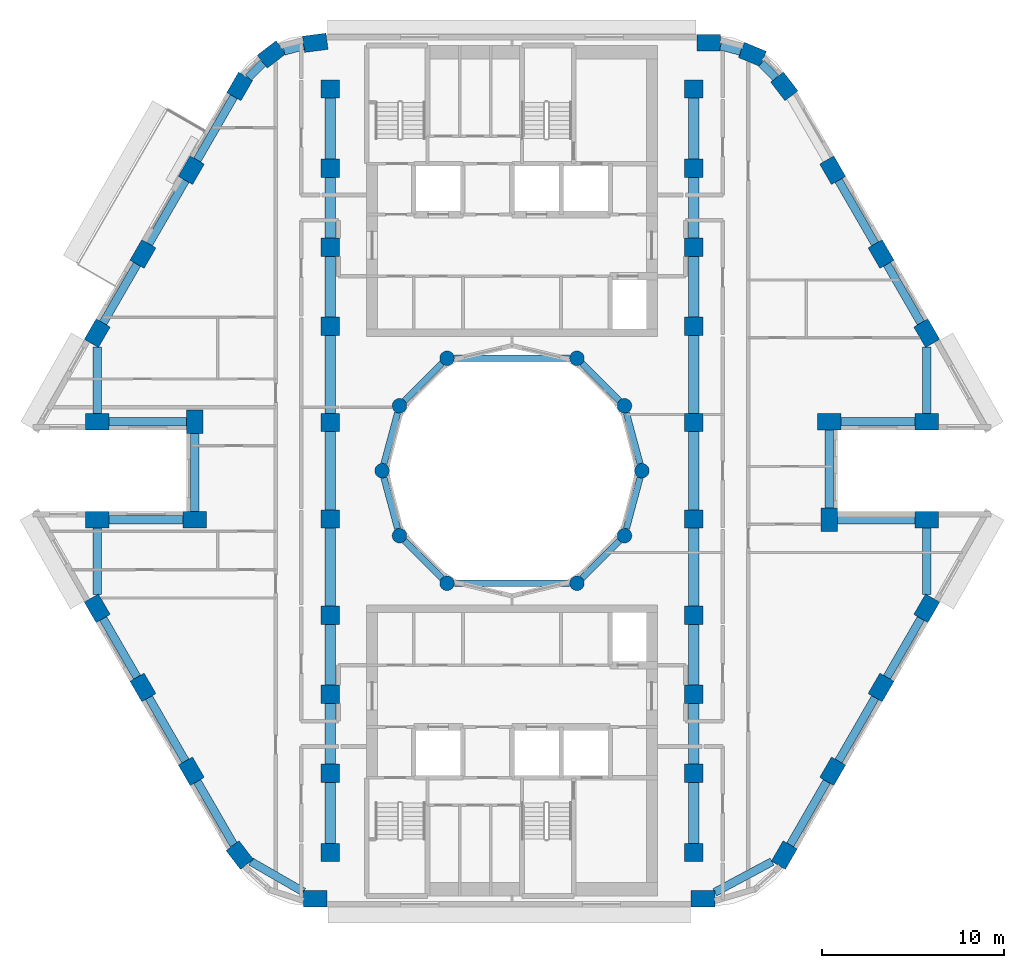
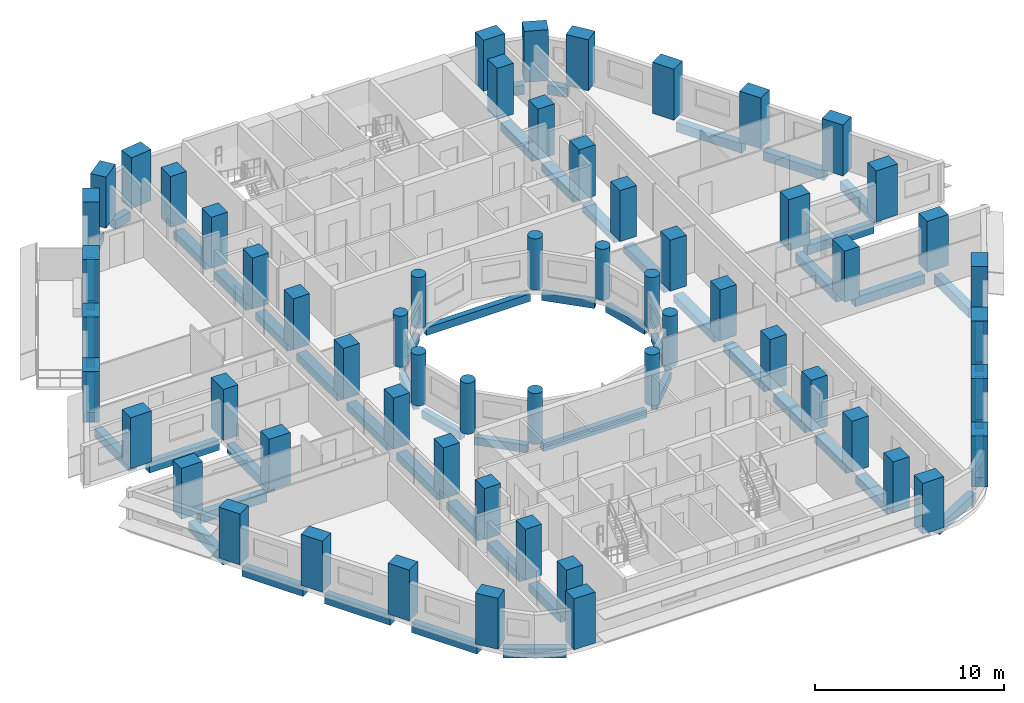
# One storey, part 1 of 13: 60 columns, 55 beams.
"""IFC4 building model written with IfcOpenShell, lengths in metres."""

from ifc_helpers import new_model, si_unit, direction, frame, origin, origin_2d, place, context, subcontext, project, spatial, rectangle, circle, extrude, material, material_profile, profile_set, type_object, element, save


model = new_model("IFC4")

# Units and contexts
model_context = context("Model", 3, precision=1e-05, world=origin(), true_north=direction((0.0, 1.0)))
body_context = subcontext(model_context, "Body", "Model", "MODEL_VIEW")
ifc_project = project(units=[si_unit("LENGTHUNIT", "METRE"), si_unit("AREAUNIT", "SQUARE_METRE"), si_unit("VOLUMEUNIT", "CUBIC_METRE"), si_unit("PLANEANGLEUNIT", "RADIAN"), si_unit("MASSUNIT", "GRAM", prefix="KILO")], contexts=[model_context])

# Site, building, storey
site_placement = place(None, origin())
site = spatial("IfcSite", under=ifc_project, at=site_placement, CompositionType="ELEMENT")
building_placement = place(site_placement, origin())
building = spatial("IfcBuilding", under=site, at=building_placement, Name="Nakaniwa Court", CompositionType="ELEMENT")
storey_placement = place(building_placement, frame((0.0, 0.0, 147.0)))
storey = spatial("IfcBuildingStorey", under=building, at=storey_placement, Name="L38", CompositionType="ELEMENT", Elevation=147.0)

# Columns
ifc_material = material(Name="Concrete C80/100", Category="concrete")
ifc_material_profile_1 = material_profile(ifc_material, rectangle(XDim=1.0, YDim=1.0, at=origin_2d()), Name="Concrete C80/100 RC 1000x1000 spine column")
ifc_profile_set_1 = profile_set([ifc_material_profile_1], Name="Concrete C80/100")
column_type_1 = type_object("IfcColumnType", Name="Concrete C80/100 RC 1000x1000 spine column", PredefinedType="COLUMN", material=ifc_profile_set_1)
for number, where, z_axis, x_axis, name in (
    (1, (90.0, 59.0, 0.0), (0.0, 0.0, 1.0), (0.0, 1.0, 0.0), "COLUMN CS-01"),
    (2, (90.0, 63.35009765625, 0.0), (0.0, 0.0, 1.0), (0.0, 1.0, 0.0), "COLUMN CS-02"),
    (3, (90.0, 67.699951171875, 0.0), (0.0, 0.0, 1.0), (0.0, 1.0, 0.0), "COLUMN CS-03"),
    (4, (90.0, 72.050048828125, 0.0), (0.0, 0.0, 1.0), (0.0, 1.0, 0.0), "COLUMN CS-04"),
    (5, (90.0, 77.35009765625, 0.0), (0.0, 0.0, 1.0), (0.0, 1.0, 0.0), "COLUMN CS-05"),
    (6, (90.0, 82.64990234375, 0.0), (0.0, 0.0, 1.0), (0.0, 1.0, 0.0), "COLUMN CS-06"),
    (7, (90.0, 87.949951171875, 0.0), (0.0, 0.0, 1.0), (0.0, 1.0, 0.0), "COLUMN CS-07"),
    (8, (90.0, 92.300048828125, 0.0), (0.0, 0.0, 1.0), (0.0, 1.0, 0.0), "COLUMN CS-08"),
    (9, (90.0, 96.64990234375, 0.0), (0.0, 0.0, 1.0), (0.0, 1.0, 0.0), "COLUMN CS-09"),
    (10, (90.0, 101.0, 0.0), (0.0, 0.0, 1.0), (0.0, 1.0, 0.0), "COLUMN CS-10"),
    (11, (70.0, 101.0, 0.0), (0.0, 0.0, 1.0), (0.0, -1.0, 0.0), "COLUMN CS-11"),
    (12, (70.0, 96.64990234375, 0.0), (0.0, 0.0, 1.0), (0.0, -1.0, 0.0), "COLUMN CS-12"),
    (13, (70.0, 92.300048828125, 0.0), (0.0, 0.0, 1.0), (0.0, -1.0, 0.0), "COLUMN CS-13"),
    (14, (70.0, 87.949951171875, 0.0), (0.0, 0.0, 1.0), (0.0, -1.0, 0.0), "COLUMN CS-14"),
    (15, (70.0, 82.64990234375, 0.0), (0.0, 0.0, 1.0), (0.0, -1.0, 0.0), "COLUMN CS-15"),
    (16, (70.0, 77.35009765625, 0.0), (0.0, 0.0, 1.0), (0.0, -1.0, 0.0), "COLUMN CS-16"),
    (17, (70.0, 72.050048828125, 0.0), (0.0, 0.0, 1.0), (0.0, -1.0, 0.0), "COLUMN CS-17"),
    (18, (70.0, 67.699951171875, 0.0), (0.0, 0.0, 1.0), (0.0, -1.0, 0.0), "COLUMN CS-18"),
    (19, (70.0, 63.35009765625, 0.0), (0.0, 0.0, 1.0), (0.0, -1.0, 0.0), "COLUMN CS-19"),
    (20, (70.0, 59.0, 0.0), (0.0, 0.0, 1.0), (0.0, -1.0, 0.0), "COLUMN CS-20"),
):
    element("IfcColumn", number, at=place(storey_placement, frame(where, z_axis=z_axis, x_axis=x_axis)), inside=storey, type_object=column_type_1, Name=name, PredefinedType="COLUMN", context=body_context, shape_type="SweptSolid", body=[
        extrude(rectangle(XDim=1.0, YDim=1.0, at=origin_2d()), origin(), (0.0, 0.0, 1.0), 3.300048828125),
    ])
ifc_material_profile_2 = material_profile(ifc_material, rectangle(XDim=1.300048828125, YDim=0.89990234375, at=origin_2d()), Name="Concrete C80/100 RC 1300x900 perimeter column")
ifc_profile_set_2 = profile_set([ifc_material_profile_2], Name="Concrete C80/100")
column_type_2 = type_object("IfcColumnType", Name="Concrete C80/100 RC 1300x900 perimeter column", PredefinedType="COLUMN", material=ifc_profile_set_2)
for number, where, z_axis, x_axis, name in (
    (21, (69.17529296875, 103.550048828125, 0.0), (0.0, 0.0, 1.0), (-0.991442583111, -0.130543496177, 0.0), "COLUMN CO-01"),
    (22, (66.772705078125, 102.91015625, 0.0), (0.0, 0.0, 1.0), (-0.793363965062, -0.608747582288, 0.0), "COLUMN CO-02"),
    (23, (65.017578125, 101.1494140625, 0.0), (0.0, 0.0, 1.0), (-0.5, -0.866025403784, 0.0), "COLUMN CO-03"),
    (24, (62.3544921875, 96.537109375, 0.0), (0.0, 0.0, 1.0), (-0.5, -0.866025403784, 0.0), "COLUMN CO-04"),
    (25, (59.691650390625, 91.9248046875, 0.0), (0.0, 0.0, 1.0), (-0.5, -0.866025403784, 0.0), "COLUMN CO-05"),
    (26, (57.177001953125, 87.569580078125, 0.0), (0.0, 0.0, 1.0), (-0.5, -0.866025403784, 0.0), "COLUMN CO-06"),
    (27, (57.177001953125, 82.699951171875, 0.0), (0.0, 0.0, 1.0), (1.0, 0.0, 0.0), "COLUMN CO-08"),
    (28, (62.54150390625, 82.699951171875, 0.0), (0.0, 0.0, 1.0), (0.0, -1.0, 0.0), "COLUMN CO-09"),
    (29, (62.54150390625, 77.300048828125, 0.0), (0.0, 0.0, 1.0), (-1.0, 0.0, 0.0), "COLUMN CO-10"),
    (30, (57.177001953125, 77.300048828125, 0.0), (0.0, 0.0, 1.0), (-1.0, 0.0, 0.0), "COLUMN CO-11"),
    (31, (57.177001953125, 72.430419921875, 0.0), (0.0, 0.0, 1.0), (0.5, -0.866025403784, 0.0), "COLUMN CO-13"),
    (32, (59.691650390625, 68.0751953125, 0.0), (0.0, 0.0, 1.0), (0.5, -0.866025403784, 0.0), "COLUMN CO-14"),
    (33, (62.3544921875, 63.462890625, 0.0), (0.0, 0.0, 1.0), (0.5, -0.866025403784, 0.0), "COLUMN CO-15"),
    (34, (65.017578125, 58.8505859375, 0.0), (0.0, 0.0, 1.0), (0.608761429009, -0.793353340291, 0.0), "COLUMN CO-16"),
    (35, (69.17529296875, 56.449951171875, 0.0), (0.0, 0.0, 1.0), (1.0, 0.0, 0.0), "COLUMN CO-17"),
    (36, (90.507080078125, 56.449951171875, 0.0), (0.0, 0.0, 1.0), (1.0, 0.0, 0.0), "COLUMN CO-21"),
    (37, (94.982421875, 58.8505859375, 0.0), (0.0, 0.0, 1.0), (0.5, 0.866025403784, 0.0), "COLUMN CO-22"),
    (38, (97.6455078125, 63.462890625, 0.0), (0.0, 0.0, 1.0), (0.5, 0.866025403784, 0.0), "COLUMN CO-23"),
    (39, (100.308349609375, 68.0751953125, 0.0), (0.0, 0.0, 1.0), (0.5, 0.866025403784, 0.0), "COLUMN CO-24"),
    (40, (102.822998046875, 72.430419921875, 0.0), (0.0, 0.0, 1.0), (0.5, 0.866025403784, 0.0), "COLUMN CO-25"),
    (41, (102.822998046875, 77.300048828125, 0.0), (0.0, 0.0, 1.0), (-1.0, 0.0, 0.0), "COLUMN CO-27"),
    (42, (97.45849609375, 77.300048828125, 0.0), (0.0, 0.0, 1.0), (0.0, 1.0, 0.0), "COLUMN CO-28"),
    (43, (97.45849609375, 82.699951171875, 0.0), (0.0, 0.0, 1.0), (1.0, 0.0, 0.0), "COLUMN CO-29"),
    (44, (102.822998046875, 82.699951171875, 0.0), (0.0, 0.0, 1.0), (1.0, 0.0, 0.0), "COLUMN CO-30"),
    (45, (102.822998046875, 87.569580078125, 0.0), (0.0, 0.0, 1.0), (-0.5, 0.866025403784, 0.0), "COLUMN CO-32"),
    (46, (100.308349609375, 91.9248046875, 0.0), (0.0, 0.0, 1.0), (-0.5, 0.866025403784, 0.0), "COLUMN CO-33"),
    (47, (97.6455078125, 96.537109375, 0.0), (0.0, 0.0, 1.0), (-0.5, 0.866025403784, 0.0), "COLUMN CO-34"),
    (48, (94.982421875, 101.1494140625, 0.0), (0.0, 0.0, 1.0), (-0.608761429009, 0.793353340291, 0.0), "COLUMN CO-35"),
    (49, (93.227294921875, 102.91015625, 0.0), (0.0, 0.0, 1.0), (-0.923879532511, 0.382683432365, 0.0), "COLUMN CO-36"),
    (50, (90.82470703125, 103.550048828125, 0.0), (0.0, 0.0, 1.0), (-1.0, 0.0, 0.0), "COLUMN CO-37"),
):
    element("IfcColumn", number, at=place(storey_placement, frame(where, z_axis=z_axis, x_axis=x_axis)), inside=storey, type_object=column_type_2, Name=name, PredefinedType="COLUMN", context=body_context, shape_type="SweptSolid", body=[
        extrude(rectangle(XDim=1.300048828125, YDim=0.89990234375, at=origin_2d()), origin(), (0.0, 0.0, 1.0), 3.300048828125),
    ])
ifc_material_profile_3 = material_profile(ifc_material, circle(Radius=0.39990234375, at=origin_2d()), Name="Concrete C80/100 RC D800 inner ring column")
ifc_profile_set_3 = profile_set([ifc_material_profile_3], Name="Concrete C80/100")
column_type_3 = type_object("IfcColumnType", Name="Concrete C80/100 RC D800 inner ring column", PredefinedType="COLUMN", material=ifc_profile_set_3)
for number, where, z_axis, x_axis, name in (
    (51, (87.14990234375, 80.0, 0.0), (0.0, 0.0, 1.0), (0.0, 1.0, 0.0), "COLUMN CI-01"),
    (52, (86.192138671875, 83.574951171875, 0.0), (0.0, 0.0, 1.0), (-0.5, 0.866025403784, 0.0), "COLUMN CI-02"),
    (53, (83.574951171875, 86.192138671875, 0.0), (0.0, 0.0, 1.0), (-0.866025403784, 0.5, 0.0), "COLUMN CI-03"),
    (54, (76.425048828125, 86.192138671875, 0.0), (0.0, 0.0, 1.0), (-0.866025403784, -0.5, 0.0), "COLUMN CI-05"),
    (55, (73.807861328125, 83.574951171875, 0.0), (0.0, 0.0, 1.0), (-0.5, -0.866025403784, 0.0), "COLUMN CI-06"),
    (56, (72.85009765625, 80.0, 0.0), (0.0, 0.0, 1.0), (0.0, -1.0, 0.0), "COLUMN CI-07"),
    (57, (73.807861328125, 76.425048828125, 0.0), (0.0, 0.0, 1.0), (0.5, -0.866025403784, 0.0), "COLUMN CI-08"),
    (58, (76.425048828125, 73.807861328125, 0.0), (0.0, 0.0, 1.0), (0.866025403784, -0.5, 0.0), "COLUMN CI-09"),
    (59, (83.574951171875, 73.807861328125, 0.0), (0.0, 0.0, 1.0), (0.866025403784, 0.5, 0.0), "COLUMN CI-11"),
    (60, (86.192138671875, 76.425048828125, 0.0), (0.0, 0.0, 1.0), (0.5, 0.866025403784, 0.0), "COLUMN CI-12"),
):
    element("IfcColumn", number, at=place(storey_placement, frame(where, z_axis=z_axis, x_axis=x_axis)), inside=storey, type_object=column_type_3, Name=name, PredefinedType="COLUMN", context=body_context, shape_type="SweptSolid", body=[
        extrude(circle(Radius=0.39990234375, at=origin_2d()), origin(), (0.0, 0.0, 1.0), 3.300048828125),
    ])

# Beams
ifc_material_profile_4 = material_profile(ifc_material, rectangle(XDim=0.35009765625, YDim=0.5, at=origin_2d()), Name="Concrete C80/100 RC 350x500 ring beam")
ifc_profile_set_4 = profile_set([ifc_material_profile_4], Name="Concrete C80/100")
beam_type_1 = type_object("IfcBeamType", Name="Concrete C80/100 RC 350x500 ring beam", PredefinedType="BEAM", material=ifc_profile_set_4)
beam_1_placement = place(storey_placement, frame((87.04638671875, 80.386474609375, -0.52490234375), z_axis=(-0.258778150207, 0.965936783115, 0.0), x_axis=(-0.965936783115, -0.258778150207, 0.0)))
element("IfcBeam", 61, at=beam_1_placement, inside=storey, type_object=beam_type_1, Name="RING BEAM", PredefinedType="BEAM", context=body_context, shape_type="SweptSolid", body=[
    extrude(rectangle(XDim=0.35009765625, YDim=0.5, at=origin_2d()), origin(), (0.0, 0.0, 1.0), 2.901123046875),
])
beam_2_placement = place(storey_placement, frame((85.9091796875, 83.85791015625, -0.52490234375), z_axis=(-0.707106781187, 0.707106781187, 0.0), x_axis=(-0.707106781187, -0.707106781187, 0.0)))
element("IfcBeam", 62, at=beam_2_placement, inside=storey, type_object=beam_type_1, Name="RING BEAM", PredefinedType="BEAM", context=body_context, shape_type="SweptSolid", body=[
    extrude(rectangle(XDim=0.35009765625, YDim=0.5, at=origin_2d()), origin(), (0.0, 0.0, 1.0), 2.90087890625),
])
beam_3_placement = place(storey_placement, frame((83.175048828125, 86.192138671875, -0.52490234375), z_axis=(-1.0, 0.0, 0.0), x_axis=(0.0, -1.0, 0.0)))
element("IfcBeam", 63, at=beam_3_placement, inside=storey, type_object=beam_type_1, Name="RING BEAM", PredefinedType="BEAM", context=body_context, shape_type="SweptSolid", body=[
    extrude(rectangle(XDim=0.35009765625, YDim=0.5, at=origin_2d()), origin(), (0.0, 0.0, 1.0), 6.35009765625),
])
beam_4_placement = place(storey_placement, frame((76.14208984375, 85.9091796875, -0.52490234375), z_axis=(-0.707106781187, -0.707106781187, 0.0), x_axis=(0.707106781187, -0.707106781187, 0.0)))
element("IfcBeam", 64, at=beam_4_placement, inside=storey, type_object=beam_type_1, Name="RING BEAM", PredefinedType="BEAM", context=body_context, shape_type="SweptSolid", body=[
    extrude(rectangle(XDim=0.35009765625, YDim=0.5, at=origin_2d()), origin(), (0.0, 0.0, 1.0), 2.90087890625),
])
for number, where, z_axis, x_axis, name in (
    (65, (73.704345703125, 83.188720703125, -0.52490234375), (-0.258778150207, -0.965936783115, 0.0), (0.965936783115, -0.258778150207, 0.0), "RING BEAM"),
    (66, (72.95361328125, 79.613525390625, -0.52490234375), (0.258778150207, -0.965936783115, 0.0), (0.965936783115, 0.258778150207, 0.0), "RING BEAM"),
):
    element("IfcBeam", number, at=place(storey_placement, frame(where, z_axis=z_axis, x_axis=x_axis)), inside=storey, type_object=beam_type_1, Name=name, PredefinedType="BEAM", context=body_context, shape_type="SweptSolid", body=[
        extrude(rectangle(XDim=0.35009765625, YDim=0.5, at=origin_2d()), origin(), (0.0, 0.0, 1.0), 2.901123046875),
    ])
beam_5_placement = place(storey_placement, frame((74.0908203125, 76.14208984375, -0.52490234375), z_axis=(0.707106781187, -0.707106781187, 0.0), x_axis=(0.707106781187, 0.707106781187, 0.0)))
element("IfcBeam", 67, at=beam_5_placement, inside=storey, type_object=beam_type_1, Name="RING BEAM", PredefinedType="BEAM", context=body_context, shape_type="SweptSolid", body=[
    extrude(rectangle(XDim=0.35009765625, YDim=0.5, at=origin_2d()), origin(), (0.0, 0.0, 1.0), 2.90087890625),
])
beam_6_placement = place(storey_placement, frame((76.824951171875, 73.807861328125, -0.52490234375), z_axis=(1.0, 0.0, 0.0), x_axis=(0.0, 1.0, 0.0)))
element("IfcBeam", 68, at=beam_6_placement, inside=storey, type_object=beam_type_1, Name="RING BEAM", PredefinedType="BEAM", context=body_context, shape_type="SweptSolid", body=[
    extrude(rectangle(XDim=0.35009765625, YDim=0.5, at=origin_2d()), origin(), (0.0, 0.0, 1.0), 6.35009765625),
])
beam_7_placement = place(storey_placement, frame((83.85791015625, 74.0908203125, -0.52490234375), z_axis=(0.707106781187, 0.707106781187, 0.0), x_axis=(-0.707106781187, 0.707106781187, 0.0)))
element("IfcBeam", 69, at=beam_7_placement, inside=storey, type_object=beam_type_1, Name="RING BEAM", PredefinedType="BEAM", context=body_context, shape_type="SweptSolid", body=[
    extrude(rectangle(XDim=0.35009765625, YDim=0.5, at=origin_2d()), origin(), (0.0, 0.0, 1.0), 2.90087890625),
])
beam_8_placement = place(storey_placement, frame((86.295654296875, 76.811279296875, -0.52490234375), z_axis=(0.258778150207, 0.965936783115, 0.0), x_axis=(-0.965936783115, 0.258778150207, 0.0)))
element("IfcBeam", 70, at=beam_8_placement, inside=storey, type_object=beam_type_1, Name="RING BEAM", PredefinedType="BEAM", context=body_context, shape_type="SweptSolid", body=[
    extrude(rectangle(XDim=0.35009765625, YDim=0.5, at=origin_2d()), origin(), (0.0, 0.0, 1.0), 2.901123046875),
])
ifc_material_profile_5 = material_profile(ifc_material, rectangle(XDim=0.449951171875, YDim=0.60009765625, at=origin_2d()), Name="Concrete C80/100 RC 450x600 spandrel beam")
ifc_profile_set_5 = profile_set([ifc_material_profile_5], Name="Concrete C80/100")
beam_type_2 = type_object("IfcBeamType", Name="Concrete C80/100 RC 450x600 spandrel beam", PredefinedType="BEAM", material=ifc_profile_set_5)
beam_9_placement = place(storey_placement, frame((68.5419921875, 103.38134765625, -0.574951171875), z_axis=(-0.966321172043, -0.257339061284, 0.0), x_axis=(0.257339061284, -0.966321172043, 0.0)))
element("IfcBeam", 71, at=beam_9_placement, inside=storey, type_object=beam_type_2, Name="SPANDREL BEAM", PredefinedType="BEAM", context=body_context, shape_type="SweptSolid", body=[
    extrude(rectangle(XDim=0.449951171875, YDim=0.60009765625, at=origin_2d()), origin(), (0.0, 0.0, 1.0), 1.126953125),
])
beam_10_placement = place(storey_placement, frame((66.309814453125, 102.44580078125, -0.574951171875), z_axis=(-0.706051557188, -0.708160432807, 0.0), x_axis=(0.708160432807, -0.706051557188, 0.0)))
element("IfcBeam", 72, at=beam_10_placement, inside=storey, type_object=beam_type_2, Name="SPANDREL BEAM", PredefinedType="BEAM", context=body_context, shape_type="SweptSolid", body=[
    extrude(rectangle(XDim=0.449951171875, YDim=0.60009765625, at=origin_2d()), origin(), (0.0, 0.0, 1.0), 1.15771484375),
])
for number, where, z_axis, x_axis, name in (
    (73, (64.6923828125, 100.586669921875, -0.574951171875), (-0.499993669216, -0.866029058833, 0.0), (0.866029058833, -0.499993669216, 0.0), "SPANDREL BEAM"),
    (74, (62.029541015625, 95.97412109375, -0.574951171875), (-0.499993669216, -0.866029058833, 0.0), (0.866029058833, -0.499993669216, 0.0), "SPANDREL BEAM"),
):
    element("IfcBeam", number, at=place(storey_placement, frame(where, z_axis=z_axis, x_axis=x_axis)), inside=storey, type_object=beam_type_2, Name=name, PredefinedType="BEAM", context=body_context, shape_type="SweptSolid", body=[
        extrude(rectangle(XDim=0.449951171875, YDim=0.60009765625, at=origin_2d()), origin(), (0.0, 0.0, 1.0), 4.02587890625),
    ])
beam_11_placement = place(storey_placement, frame((59.36669921875, 91.36181640625, -0.574951171875), z_axis=(-0.50001905207, -0.866014403787, 0.0), x_axis=(0.866014403787, -0.50001905207, 0.0)))
element("IfcBeam", 75, at=beam_11_placement, inside=storey, type_object=beam_type_2, Name="SPANDREL BEAM", PredefinedType="BEAM", context=body_context, shape_type="SweptSolid", body=[
    extrude(rectangle(XDim=0.449951171875, YDim=0.60009765625, at=origin_2d()), origin(), (0.0, 0.0, 1.0), 3.728759765625),
])
beam_12_placement = place(storey_placement, frame((57.177001953125, 86.819091796875, -0.574951171875), z_axis=(0.0, -1.0, 0.0), x_axis=(1.0, 0.0, 0.0)))
element("IfcBeam", 76, at=beam_12_placement, inside=storey, type_object=beam_type_2, Name="SPANDREL BEAM", PredefinedType="BEAM", context=body_context, shape_type="SweptSolid", body=[
    extrude(rectangle(XDim=0.449951171875, YDim=0.60009765625, at=origin_2d()), origin(), (0.0, 0.0, 1.0), 3.669189453125),
])
beam_13_placement = place(storey_placement, frame((57.8271484375, 82.699951171875, -0.574951171875), z_axis=(1.0, 0.0, 0.0), x_axis=(0.0, 1.0, 0.0)))
element("IfcBeam", 77, at=beam_13_placement, inside=storey, type_object=beam_type_2, Name="SPANDREL BEAM", PredefinedType="BEAM", context=body_context, shape_type="SweptSolid", body=[
    extrude(rectangle(XDim=0.449951171875, YDim=0.60009765625, at=origin_2d()), origin(), (0.0, 0.0, 1.0), 4.264404296875),
])
beam_14_placement = place(storey_placement, frame((62.54150390625, 82.050048828125, -0.574951171875), z_axis=(0.0, -1.0, 0.0), x_axis=(1.0, 0.0, 0.0)))
element("IfcBeam", 78, at=beam_14_placement, inside=storey, type_object=beam_type_2, Name="SPANDREL BEAM", PredefinedType="BEAM", context=body_context, shape_type="SweptSolid", body=[
    extrude(rectangle(XDim=0.449951171875, YDim=0.60009765625, at=origin_2d()), origin(), (0.0, 0.0, 1.0), 4.300048828125),
])
beam_15_placement = place(storey_placement, frame((61.8916015625, 77.300048828125, -0.574951171875), z_axis=(-1.0, 0.0, 0.0), x_axis=(0.0, -1.0, 0.0)))
element("IfcBeam", 79, at=beam_15_placement, inside=storey, type_object=beam_type_2, Name="SPANDREL BEAM", PredefinedType="BEAM", context=body_context, shape_type="SweptSolid", body=[
    extrude(rectangle(XDim=0.449951171875, YDim=0.60009765625, at=origin_2d()), origin(), (0.0, 0.0, 1.0), 4.064453125),
])
beam_16_placement = place(storey_placement, frame((57.177001953125, 76.85009765625, -0.574951171875), z_axis=(0.0, -1.0, 0.0), x_axis=(1.0, 0.0, 0.0)))
element("IfcBeam", 80, at=beam_16_placement, inside=storey, type_object=beam_type_2, Name="SPANDREL BEAM", PredefinedType="BEAM", context=body_context, shape_type="SweptSolid", body=[
    extrude(rectangle(XDim=0.449951171875, YDim=0.60009765625, at=origin_2d()), origin(), (0.0, 0.0, 1.0), 3.669189453125),
])
beam_17_placement = place(storey_placement, frame((57.502197265625, 71.867431640625, -0.574951171875), z_axis=(0.50001905207, -0.866014403787, 0.0), x_axis=(0.866014403787, 0.50001905207, 0.0)))
element("IfcBeam", 81, at=beam_17_placement, inside=storey, type_object=beam_type_2, Name="SPANDREL BEAM", PredefinedType="BEAM", context=body_context, shape_type="SweptSolid", body=[
    extrude(rectangle(XDim=0.449951171875, YDim=0.60009765625, at=origin_2d()), origin(), (0.0, 0.0, 1.0), 3.728759765625),
])
beam_18_placement = place(storey_placement, frame((60.0166015625, 67.512451171875, -0.574951171875), z_axis=(0.499993669216, -0.866029058833, 0.0), x_axis=(0.866029058833, 0.499993669216, 0.0)))
element("IfcBeam", 82, at=beam_18_placement, inside=storey, type_object=beam_type_2, Name="SPANDREL BEAM", PredefinedType="BEAM", context=body_context, shape_type="SweptSolid", body=[
    extrude(rectangle(XDim=0.449951171875, YDim=0.60009765625, at=origin_2d()), origin(), (0.0, 0.0, 1.0), 4.02587890625),
])
beam_19_placement = place(storey_placement, frame((62.679443359375, 62.89990234375, -0.574951171875), z_axis=(0.500018573463, -0.866014680125, 0.0), x_axis=(0.866014680125, 0.500018573463, 0.0)))
element("IfcBeam", 83, at=beam_19_placement, inside=storey, type_object=beam_type_2, Name="SPANDREL BEAM", PredefinedType="BEAM", context=body_context, shape_type="SweptSolid", body=[
    extrude(rectangle(XDim=0.449951171875, YDim=0.60009765625, at=origin_2d()), origin(), (0.0, 0.0, 1.0), 4.020263671875),
])
beam_20_placement = place(storey_placement, frame((65.626708984375, 58.498779296875, -0.574951171875), z_axis=(0.866021605644, -0.500006578514, 0.0), x_axis=(0.500006578514, 0.866021605644, 0.0)))
element("IfcBeam", 84, at=beam_20_placement, inside=storey, type_object=beam_type_2, Name="SPANDREL BEAM", PredefinedType="BEAM", context=body_context, shape_type="SweptSolid", body=[
    extrude(rectangle(XDim=0.449951171875, YDim=0.60009765625, at=origin_2d()), origin(), (0.0, 0.0, 1.0), 3.34716796875),
])
beam_21_placement = place(storey_placement, frame((91.156982421875, 56.798583984375, -0.574951171875), z_axis=(0.881239336512, 0.472670320397, 0.0), x_axis=(-0.472670320397, 0.881239336512, 0.0)))
element("IfcBeam", 85, at=beam_21_placement, inside=storey, type_object=beam_type_2, Name="SPANDREL BEAM", PredefinedType="BEAM", context=body_context, shape_type="SweptSolid", body=[
    extrude(rectangle(XDim=0.449951171875, YDim=0.60009765625, at=origin_2d()), origin(), (0.0, 0.0, 1.0), 3.576416015625),
])
for number, where, z_axis, x_axis, name in (
    (86, (95.3076171875, 59.413330078125, -0.574951171875), (0.499993669216, 0.866029058833, 0.0), (-0.866029058833, 0.499993669216, 0.0), "SPANDREL BEAM"),
    (87, (97.970458984375, 64.02587890625, -0.574951171875), (0.499993669216, 0.866029058833, 0.0), (-0.866029058833, 0.499993669216, 0.0), "SPANDREL BEAM"),
):
    element("IfcBeam", number, at=place(storey_placement, frame(where, z_axis=z_axis, x_axis=x_axis)), inside=storey, type_object=beam_type_2, Name=name, PredefinedType="BEAM", context=body_context, shape_type="SweptSolid", body=[
        extrude(rectangle(XDim=0.449951171875, YDim=0.60009765625, at=origin_2d()), origin(), (0.0, 0.0, 1.0), 4.02587890625),
    ])
beam_22_placement = place(storey_placement, frame((100.63330078125, 68.63818359375, -0.574951171875), z_axis=(0.50001905207, 0.866014403787, 0.0), x_axis=(-0.866014403787, 0.50001905207, 0.0)))
element("IfcBeam", 88, at=beam_22_placement, inside=storey, type_object=beam_type_2, Name="SPANDREL BEAM", PredefinedType="BEAM", context=body_context, shape_type="SweptSolid", body=[
    extrude(rectangle(XDim=0.449951171875, YDim=0.60009765625, at=origin_2d()), origin(), (0.0, 0.0, 1.0), 3.728759765625),
])
beam_23_placement = place(storey_placement, frame((102.822998046875, 73.180908203125, -0.574951171875), z_axis=(0.0, 1.0, 0.0), x_axis=(-1.0, 0.0, 0.0)))
element("IfcBeam", 89, at=beam_23_placement, inside=storey, type_object=beam_type_2, Name="SPANDREL BEAM", PredefinedType="BEAM", context=body_context, shape_type="SweptSolid", body=[
    extrude(rectangle(XDim=0.449951171875, YDim=0.60009765625, at=origin_2d()), origin(), (0.0, 0.0, 1.0), 3.669189453125),
])
beam_24_placement = place(storey_placement, frame((102.1728515625, 77.300048828125, -0.574951171875), z_axis=(-1.0, 0.0, 0.0), x_axis=(0.0, -1.0, 0.0)))
element("IfcBeam", 90, at=beam_24_placement, inside=storey, type_object=beam_type_2, Name="SPANDREL BEAM", PredefinedType="BEAM", context=body_context, shape_type="SweptSolid", body=[
    extrude(rectangle(XDim=0.449951171875, YDim=0.60009765625, at=origin_2d()), origin(), (0.0, 0.0, 1.0), 4.264404296875),
])
beam_25_placement = place(storey_placement, frame((97.45849609375, 77.949951171875, -0.574951171875), z_axis=(0.0, 1.0, 0.0), x_axis=(-1.0, 0.0, 0.0)))
element("IfcBeam", 91, at=beam_25_placement, inside=storey, type_object=beam_type_2, Name="SPANDREL BEAM", PredefinedType="BEAM", context=body_context, shape_type="SweptSolid", body=[
    extrude(rectangle(XDim=0.449951171875, YDim=0.60009765625, at=origin_2d()), origin(), (0.0, 0.0, 1.0), 4.300048828125),
])
beam_26_placement = place(storey_placement, frame((98.1083984375, 82.699951171875, -0.574951171875), z_axis=(1.0, 0.0, 0.0), x_axis=(0.0, 1.0, 0.0)))
element("IfcBeam", 92, at=beam_26_placement, inside=storey, type_object=beam_type_2, Name="SPANDREL BEAM", PredefinedType="BEAM", context=body_context, shape_type="SweptSolid", body=[
    extrude(rectangle(XDim=0.449951171875, YDim=0.60009765625, at=origin_2d()), origin(), (0.0, 0.0, 1.0), 4.064453125),
])
beam_27_placement = place(storey_placement, frame((102.822998046875, 83.14990234375, -0.574951171875), z_axis=(0.0, 1.0, 0.0), x_axis=(-1.0, 0.0, 0.0)))
element("IfcBeam", 93, at=beam_27_placement, inside=storey, type_object=beam_type_2, Name="SPANDREL BEAM", PredefinedType="BEAM", context=body_context, shape_type="SweptSolid", body=[
    extrude(rectangle(XDim=0.449951171875, YDim=0.60009765625, at=origin_2d()), origin(), (0.0, 0.0, 1.0), 3.669189453125),
])
beam_28_placement = place(storey_placement, frame((102.497802734375, 88.132568359375, -0.574951171875), z_axis=(-0.50001905207, 0.866014403787, 0.0), x_axis=(-0.866014403787, -0.50001905207, 0.0)))
element("IfcBeam", 94, at=beam_28_placement, inside=storey, type_object=beam_type_2, Name="SPANDREL BEAM", PredefinedType="BEAM", context=body_context, shape_type="SweptSolid", body=[
    extrude(rectangle(XDim=0.449951171875, YDim=0.60009765625, at=origin_2d()), origin(), (0.0, 0.0, 1.0), 3.728759765625),
])
beam_29_placement = place(storey_placement, frame((99.9833984375, 92.487548828125, -0.574951171875), z_axis=(-0.499993669216, 0.866029058833, 0.0), x_axis=(-0.866029058833, -0.499993669216, 0.0)))
element("IfcBeam", 95, at=beam_29_placement, inside=storey, type_object=beam_type_2, Name="SPANDREL BEAM", PredefinedType="BEAM", context=body_context, shape_type="SweptSolid", body=[
    extrude(rectangle(XDim=0.449951171875, YDim=0.60009765625, at=origin_2d()), origin(), (0.0, 0.0, 1.0), 4.02587890625),
])
beam_30_placement = place(storey_placement, frame((94.519775390625, 101.61376953125, -0.574951171875), z_axis=(-0.706022429805, 0.708189472254, 0.0), x_axis=(-0.708189472254, -0.706022429805, 0.0)))
element("IfcBeam", 96, at=beam_30_placement, inside=storey, type_object=beam_type_2, Name="SPANDREL BEAM", PredefinedType="BEAM", context=body_context, shape_type="SweptSolid", body=[
    extrude(rectangle(XDim=0.449951171875, YDim=0.60009765625, at=origin_2d()), origin(), (0.0, 0.0, 1.0), 1.126708984375),
])
beam_31_placement = place(storey_placement, frame((92.593505859375, 103.078857421875, -0.574951171875), z_axis=(-0.966294404875, 0.257439552335, 0.0), x_axis=(-0.257439552335, -0.966294404875, 0.0)))
element("IfcBeam", 97, at=beam_31_placement, inside=storey, type_object=beam_type_2, Name="SPANDREL BEAM", PredefinedType="BEAM", context=body_context, shape_type="SweptSolid", body=[
    extrude(rectangle(XDim=0.449951171875, YDim=0.60009765625, at=origin_2d()), origin(), (0.0, 0.0, 1.0), 1.157958984375),
])
ifc_material_profile_6 = material_profile(ifc_material, rectangle(XDim=0.60009765625, YDim=0.5, at=origin_2d()), Name="Concrete C80/100 RC 600x500 ring beam")
ifc_profile_set_6 = profile_set([ifc_material_profile_6], Name="Concrete C80/100")
beam_type_3 = type_object("IfcBeamType", Name="Concrete C80/100 RC 600x500 ring beam", PredefinedType="BEAM", material=ifc_profile_set_6)
beam_32_placement = place(storey_placement, frame((90.0, 59.5, -0.52490234375), z_axis=(0.0, 1.0, 0.0), x_axis=(-1.0, 0.0, 0.0)))
element("IfcBeam", 98, at=beam_32_placement, inside=storey, type_object=beam_type_3, Name="RING BEAM", PredefinedType="BEAM", context=body_context, shape_type="SweptSolid", body=[
    extrude(rectangle(XDim=0.60009765625, YDim=0.5, at=origin_2d()), origin(), (0.0, 0.0, 1.0), 3.35009765625),
])
beam_33_placement = place(storey_placement, frame((90.0, 63.85009765625, -0.52490234375), z_axis=(0.0, 1.0, 0.0), x_axis=(-1.0, 0.0, 0.0)))
element("IfcBeam", 99, at=beam_33_placement, inside=storey, type_object=beam_type_3, Name="RING BEAM", PredefinedType="BEAM", context=body_context, shape_type="SweptSolid", body=[
    extrude(rectangle(XDim=0.60009765625, YDim=0.5, at=origin_2d()), origin(), (0.0, 0.0, 1.0), 3.349853515625),
])
beam_34_placement = place(storey_placement, frame((90.0, 68.199951171875, -0.52490234375), z_axis=(0.0, 1.0, 0.0), x_axis=(-1.0, 0.0, 0.0)))
element("IfcBeam", 100, at=beam_34_placement, inside=storey, type_object=beam_type_3, Name="RING BEAM", PredefinedType="BEAM", context=body_context, shape_type="SweptSolid", body=[
    extrude(rectangle(XDim=0.60009765625, YDim=0.5, at=origin_2d()), origin(), (0.0, 0.0, 1.0), 3.35009765625),
])
beam_35_placement = place(storey_placement, frame((90.0, 72.550048828125, -0.52490234375), z_axis=(0.0, 1.0, 0.0), x_axis=(-1.0, 0.0, 0.0)))
element("IfcBeam", 101, at=beam_35_placement, inside=storey, type_object=beam_type_3, Name="RING BEAM", PredefinedType="BEAM", context=body_context, shape_type="SweptSolid", body=[
    extrude(rectangle(XDim=0.60009765625, YDim=0.5, at=origin_2d()), origin(), (0.0, 0.0, 1.0), 4.300048828125),
])
beam_36_placement = place(storey_placement, frame((90.0, 77.85009765625, -0.52490234375), z_axis=(0.0, 1.0, 0.0), x_axis=(-1.0, 0.0, 0.0)))
element("IfcBeam", 102, at=beam_36_placement, inside=storey, type_object=beam_type_3, Name="RING BEAM", PredefinedType="BEAM", context=body_context, shape_type="SweptSolid", body=[
    extrude(rectangle(XDim=0.60009765625, YDim=0.5, at=origin_2d()), origin(), (0.0, 0.0, 1.0), 4.2998046875),
])
beam_37_placement = place(storey_placement, frame((90.0, 83.14990234375, -0.52490234375), z_axis=(0.0, 1.0, 0.0), x_axis=(-1.0, 0.0, 0.0)))
element("IfcBeam", 103, at=beam_37_placement, inside=storey, type_object=beam_type_3, Name="RING BEAM", PredefinedType="BEAM", context=body_context, shape_type="SweptSolid", body=[
    extrude(rectangle(XDim=0.60009765625, YDim=0.5, at=origin_2d()), origin(), (0.0, 0.0, 1.0), 4.300048828125),
])
beam_38_placement = place(storey_placement, frame((90.0, 88.449951171875, -0.52490234375), z_axis=(0.0, 1.0, 0.0), x_axis=(-1.0, 0.0, 0.0)))
element("IfcBeam", 104, at=beam_38_placement, inside=storey, type_object=beam_type_3, Name="RING BEAM", PredefinedType="BEAM", context=body_context, shape_type="SweptSolid", body=[
    extrude(rectangle(XDim=0.60009765625, YDim=0.5, at=origin_2d()), origin(), (0.0, 0.0, 1.0), 3.35009765625),
])
beam_39_placement = place(storey_placement, frame((90.0, 92.800048828125, -0.52490234375), z_axis=(0.0, 1.0, 0.0), x_axis=(-1.0, 0.0, 0.0)))
element("IfcBeam", 105, at=beam_39_placement, inside=storey, type_object=beam_type_3, Name="RING BEAM", PredefinedType="BEAM", context=body_context, shape_type="SweptSolid", body=[
    extrude(rectangle(XDim=0.60009765625, YDim=0.5, at=origin_2d()), origin(), (0.0, 0.0, 1.0), 3.349853515625),
])
for number, where, z_axis, x_axis, name in (
    (106, (90.0, 97.14990234375, -0.52490234375), (0.0, 1.0, 0.0), (-1.0, 0.0, 0.0), "RING BEAM"),
    (107, (70.0, 100.5, -0.52490234375), (0.0, -1.0, 0.0), (1.0, 0.0, 0.0), "RING BEAM"),
):
    element("IfcBeam", number, at=place(storey_placement, frame(where, z_axis=z_axis, x_axis=x_axis)), inside=storey, type_object=beam_type_3, Name=name, PredefinedType="BEAM", context=body_context, shape_type="SweptSolid", body=[
        extrude(rectangle(XDim=0.60009765625, YDim=0.5, at=origin_2d()), origin(), (0.0, 0.0, 1.0), 3.35009765625),
    ])
beam_40_placement = place(storey_placement, frame((70.0, 96.14990234375, -0.52490234375), z_axis=(0.0, -1.0, 0.0), x_axis=(1.0, 0.0, 0.0)))
element("IfcBeam", 108, at=beam_40_placement, inside=storey, type_object=beam_type_3, Name="RING BEAM", PredefinedType="BEAM", context=body_context, shape_type="SweptSolid", body=[
    extrude(rectangle(XDim=0.60009765625, YDim=0.5, at=origin_2d()), origin(), (0.0, 0.0, 1.0), 3.349853515625),
])
beam_41_placement = place(storey_placement, frame((70.0, 91.800048828125, -0.52490234375), z_axis=(0.0, -1.0, 0.0), x_axis=(1.0, 0.0, 0.0)))
element("IfcBeam", 109, at=beam_41_placement, inside=storey, type_object=beam_type_3, Name="RING BEAM", PredefinedType="BEAM", context=body_context, shape_type="SweptSolid", body=[
    extrude(rectangle(XDim=0.60009765625, YDim=0.5, at=origin_2d()), origin(), (0.0, 0.0, 1.0), 3.35009765625),
])
beam_42_placement = place(storey_placement, frame((70.0, 87.449951171875, -0.52490234375), z_axis=(0.0, -1.0, 0.0), x_axis=(1.0, 0.0, 0.0)))
element("IfcBeam", 110, at=beam_42_placement, inside=storey, type_object=beam_type_3, Name="RING BEAM", PredefinedType="BEAM", context=body_context, shape_type="SweptSolid", body=[
    extrude(rectangle(XDim=0.60009765625, YDim=0.5, at=origin_2d()), origin(), (0.0, 0.0, 1.0), 4.300048828125),
])
beam_43_placement = place(storey_placement, frame((70.0, 82.14990234375, -0.52490234375), z_axis=(0.0, -1.0, 0.0), x_axis=(1.0, 0.0, 0.0)))
element("IfcBeam", 111, at=beam_43_placement, inside=storey, type_object=beam_type_3, Name="RING BEAM", PredefinedType="BEAM", context=body_context, shape_type="SweptSolid", body=[
    extrude(rectangle(XDim=0.60009765625, YDim=0.5, at=origin_2d()), origin(), (0.0, 0.0, 1.0), 4.2998046875),
])
beam_44_placement = place(storey_placement, frame((70.0, 76.85009765625, -0.52490234375), z_axis=(0.0, -1.0, 0.0), x_axis=(1.0, 0.0, 0.0)))
element("IfcBeam", 112, at=beam_44_placement, inside=storey, type_object=beam_type_3, Name="RING BEAM", PredefinedType="BEAM", context=body_context, shape_type="SweptSolid", body=[
    extrude(rectangle(XDim=0.60009765625, YDim=0.5, at=origin_2d()), origin(), (0.0, 0.0, 1.0), 4.300048828125),
])
beam_45_placement = place(storey_placement, frame((70.0, 71.550048828125, -0.52490234375), z_axis=(0.0, -1.0, 0.0), x_axis=(1.0, 0.0, 0.0)))
element("IfcBeam", 113, at=beam_45_placement, inside=storey, type_object=beam_type_3, Name="RING BEAM", PredefinedType="BEAM", context=body_context, shape_type="SweptSolid", body=[
    extrude(rectangle(XDim=0.60009765625, YDim=0.5, at=origin_2d()), origin(), (0.0, 0.0, 1.0), 3.35009765625),
])
beam_46_placement = place(storey_placement, frame((70.0, 67.199951171875, -0.52490234375), z_axis=(0.0, -1.0, 0.0), x_axis=(1.0, 0.0, 0.0)))
element("IfcBeam", 114, at=beam_46_placement, inside=storey, type_object=beam_type_3, Name="RING BEAM", PredefinedType="BEAM", context=body_context, shape_type="SweptSolid", body=[
    extrude(rectangle(XDim=0.60009765625, YDim=0.5, at=origin_2d()), origin(), (0.0, 0.0, 1.0), 3.349853515625),
])
beam_47_placement = place(storey_placement, frame((70.0, 62.85009765625, -0.52490234375), z_axis=(0.0, -1.0, 0.0), x_axis=(1.0, 0.0, 0.0)))
element("IfcBeam", 115, at=beam_47_placement, inside=storey, type_object=beam_type_3, Name="RING BEAM", PredefinedType="BEAM", context=body_context, shape_type="SweptSolid", body=[
    extrude(rectangle(XDim=0.60009765625, YDim=0.5, at=origin_2d()), origin(), (0.0, 0.0, 1.0), 3.35009765625),
])

save(model, "model.ifc")
